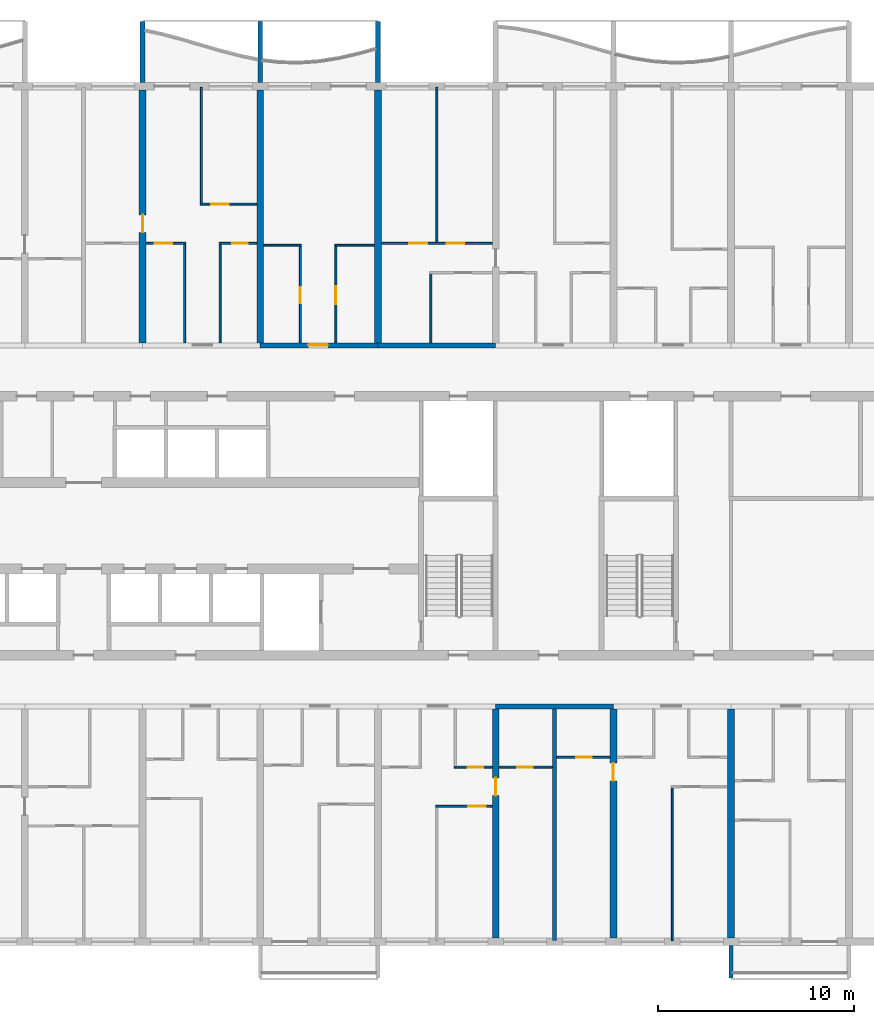
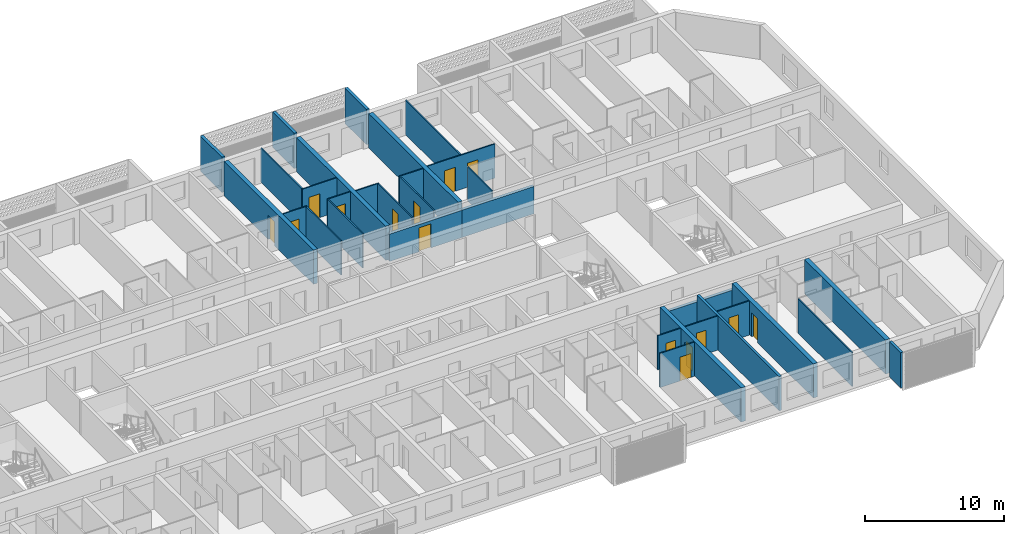
# One storey, part 12 of 24: 32 walls, 15 doors, 15 openings.
"""IFC4 building model written with IfcOpenShell, lengths in metres."""

from ifc_helpers import new_model, si_unit, direction, frame, frame_2d, origin, place, context, subcontext, project, spatial, polyline, rectangle, outline, extrude, source, transform, mapped, material, layer, layer_set, type_object, element, fill, save


model = new_model("IFC4")

# Units and contexts
model_context = context("Model", 3, precision=1e-05, world=origin(), true_north=direction((0.0, 1.0)))
body_context = subcontext(model_context, "Body", "Model", "MODEL_VIEW")
ifc_project = project(units=[si_unit("LENGTHUNIT", "METRE"), si_unit("AREAUNIT", "SQUARE_METRE"), si_unit("VOLUMEUNIT", "CUBIC_METRE"), si_unit("PLANEANGLEUNIT", "RADIAN"), si_unit("MASSUNIT", "GRAM", prefix="KILO")], contexts=[model_context])

# Site, building, storey
site_placement = place(None, origin())
site = spatial("IfcSite", under=ifc_project, at=site_placement, CompositionType="ELEMENT")
building_placement = place(site_placement, origin())
building = spatial("IfcBuilding", under=site, at=building_placement, Name="Poui Terraces", CompositionType="ELEMENT")
storey_placement = place(building_placement, frame((0.0, 0.0, 102.60009765625)))
storey = spatial("IfcBuildingStorey", under=building, at=storey_placement, Name="L28", CompositionType="ELEMENT", Elevation=102.60009765625)

# Wall
ifc_material_1 = material(Name="Concrete 65 MPa", Category="concrete")
ifc_layer_1 = layer(ifc_material_1, 0.25)
ifc_layer_set_1 = layer_set([ifc_layer_1], Name="Concrete 65 MPa")
wall_type_1 = type_object("IfcWallType", Name="CORRIDOR WALL 250 65MPa", PredefinedType="SHEAR", material=ifc_layer_set_1)
wall_1_placement = place(storey_placement, frame((72.0, 12.0, 0.0), z_axis=(0.0, 0.0, 1.0), x_axis=(1.0, 0.0, 0.0)))
element("IfcWall", 1, at=wall_1_placement, inside=storey, type_object=wall_type_1, Name="CORRIDOR WALL LINE B BAY 12", PredefinedType="SHEAR", context=body_context, shape_type="SweptSolid", body=[
    extrude(rectangle(XDim=6.0, YDim=0.25, at=frame_2d((3.0, 0.0))), origin(), (0.0, 0.0, 1.0), 2.39990234375),
])

# Wall, opening, door
wall_2_placement = place(storey_placement, frame((60.0, 30.39990234375, 0.0), z_axis=(0.0, 0.0, 1.0), x_axis=(1.0, 0.0, 0.0)))
wall_2 = element("IfcWall", 2, at=wall_2_placement, inside=storey, type_object=wall_type_1, Name="CORRIDOR WALL LINE E BAY 10", PredefinedType="SHEAR", context=body_context, shape_type="SweptSolid", body=[
    extrude(rectangle(XDim=6.0, YDim=0.25, at=frame_2d((3.0, 0.0))), origin(), (0.0, 0.0, 1.0), 2.39990234375),
])
opening_1_placement = place(wall_2_placement, frame((2.449951171875, 0.0, 0.0)))
opening_1 = element("IfcOpeningElement", 3, at=opening_1_placement, cuts=wall_2, Name="Opening FD30S", PredefinedType="OPENING", context=body_context, shape_type="SweptSolid", body=[
    extrude(rectangle(XDim=1.0, YDim=2.10009765625, at=frame_2d((0.5, 1.050048828125))), frame((0.0, 0.135009765625, 0.0), z_axis=(0.0, -1.0, 0.0), x_axis=(1.0, 0.0, 0.0)), (0.0, 0.0, 1.0), 0.27001953125),
])
ifc_material_2 = material(Name="Steel fire door", Category="steel")
door_type_1 = type_object("IfcDoorType", Name="FLAT ENTRANCE DOOR 1000 X 2100", OperationType="NOTDEFINED", PredefinedType="DOOR", material=ifc_material_2)
door_1_placement = place(opening_1_placement, origin())
door_1 = element("IfcDoor", 4, at=door_1_placement, inside=storey, type_object=door_type_1, Name="FLAT ENTRANCE DOOR 062", OperationType="SINGLE_SWING_LEFT", OverallHeight=2.10009765625, OverallWidth=1.0, PredefinedType="DOOR", context=body_context, shape_type="SweptSolid", body=[
    extrude(rectangle(XDim=1.0, YDim=2.10009765625, at=frame_2d((0.5, 1.050048828125))), frame((0.0, 0.02490234375, 0.0), z_axis=(0.0, -1.0, 0.0), x_axis=(1.0, 0.0, 0.0)), (0.0, 0.0, 1.0), 0.050048828125),
])
fill(opening_1, door_1)

# Wall
wall_3_placement = place(storey_placement, frame((66.0, 30.39990234375, 0.0), z_axis=(0.0, 0.0, 1.0), x_axis=(1.0, 0.0, 0.0)))
element("IfcWall", 5, at=wall_3_placement, inside=storey, type_object=wall_type_1, Name="CORRIDOR WALL LINE E BAY 11", PredefinedType="SHEAR", context=body_context, shape_type="SweptSolid", body=[
    extrude(rectangle(XDim=6.0, YDim=0.25, at=frame_2d((3.0, 0.0))), origin(), (0.0, 0.0, 1.0), 2.39990234375),
])

# Wall, opening, door
ifc_layer_2 = layer(ifc_material_1, 0.35009765625)
ifc_layer_set_2 = layer_set([ifc_layer_2], Name="Concrete 65 MPa")
wall_type_2 = type_object("IfcWallType", Name="CROSS WALL 350 65MPa", PredefinedType="SHEAR", material=ifc_layer_set_2)
wall_4_placement = place(storey_placement, frame((54.0, 30.52490234375, 0.0), z_axis=(0.0, 0.0, 1.0), x_axis=(0.0, 1.0, 0.0)))
wall_4 = element("IfcWall", 6, at=wall_4_placement, inside=storey, type_object=wall_type_2, Name="CROSS WALL LINE 10 NORTH", PredefinedType="SHEAR", context=body_context, shape_type="SweptSolid", body=[
    extrude(rectangle(XDim=12.875, YDim=0.35009765625, at=frame_2d((6.4375, 0.0))), origin(), (0.0, 0.0, 1.0), 3.0),
])
opening_2_placement = place(wall_4_placement, frame((5.625, 0.0, 0.0)))
opening_2 = element("IfcOpeningElement", 7, at=opening_2_placement, cuts=wall_4, Name="Opening D90", PredefinedType="OPENING", context=body_context, shape_type="SweptSolid", body=[
    extrude(rectangle(XDim=0.89990234375, YDim=2.10009765625, at=frame_2d((0.449951171875, 1.050048828125))), frame((0.0, 0.18505859375, 0.0), z_axis=(0.0, -1.0, 0.0), x_axis=(1.0, 0.0, 0.0)), (0.0, 0.0, 1.0), 0.3701171875),
])
ifc_material_3 = material(Name="Solid core timber door", Category="wood")
door_type_2 = type_object("IfcDoorType", Name="INTERNAL DOOR 900 X 2100", OperationType="NOTDEFINED", PredefinedType="DOOR", material=ifc_material_3)
door_2_placement = place(opening_2_placement, origin())
door_2 = element("IfcDoor", 8, at=door_2_placement, inside=storey, type_object=door_type_2, Name="INTERNAL DOOR 056", OperationType="SINGLE_SWING_LEFT", OverallHeight=2.10009765625, OverallWidth=0.89990234375, PredefinedType="DOOR", context=body_context, shape_type="SweptSolid", body=[
    extrude(rectangle(XDim=0.89990234375, YDim=2.10009765625, at=frame_2d((0.449951171875, 1.050048828125))), frame((0.0, 0.02490234375, 0.0), z_axis=(0.0, -1.0, 0.0), x_axis=(1.0, 0.0, 0.0)), (0.0, 0.0, 1.0), 0.050048828125),
])
fill(opening_2, door_2)

# Walls
for number, where, z_axis, x_axis, name in (
    (9, (60.0, 30.52490234375, 0.0), (0.0, 0.0, 1.0), (0.0, 1.0, 0.0), "CROSS WALL LINE 11 NORTH"),
    (10, (66.0, 30.52490234375, 0.0), (0.0, 0.0, 1.0), (0.0, 1.0, 0.0), "CROSS WALL LINE 12 NORTH"),
):
    element("IfcWall", number, at=place(storey_placement, frame(where, z_axis=z_axis, x_axis=x_axis)), inside=storey, type_object=wall_type_2, Name=name, PredefinedType="SHEAR", context=body_context, shape_type="SweptSolid", body=[
        extrude(rectangle(XDim=12.875, YDim=0.35009765625, at=frame_2d((6.4375, 0.0))), origin(), (0.0, 0.0, 1.0), 3.0),
    ])

# Wall, opening, door
wall_5_placement = place(storey_placement, frame((72.0, 0.199951171875, 0.0), z_axis=(0.0, 0.0, 1.0), x_axis=(0.0, 1.0, 0.0)))
wall_5 = element("IfcWall", 11, at=wall_5_placement, inside=storey, type_object=wall_type_2, Name="CROSS WALL LINE 13 SOUTH", PredefinedType="SHEAR", context=body_context, shape_type="SweptSolid", body=[
    extrude(rectangle(XDim=11.675048828125, YDim=0.35009765625, at=frame_2d((5.83740234375, 0.0))), origin(), (0.0, 0.0, 1.0), 3.0),
])
opening_3_placement = place(wall_5_placement, frame((7.25, 0.0, 0.0)))
opening_3 = element("IfcOpeningElement", 12, at=opening_3_placement, cuts=wall_5, Name="Opening D90", PredefinedType="OPENING", context=body_context, shape_type="SweptSolid", body=[
    extrude(rectangle(XDim=0.89990234375, YDim=2.10009765625, at=frame_2d((0.449951171875, 1.050048828125))), frame((0.0, 0.18505859375, 0.0), z_axis=(0.0, -1.0, 0.0), x_axis=(1.0, 0.0, 0.0)), (0.0, 0.0, 1.0), 0.3701171875),
])
door_3_placement = place(opening_3_placement, frame((0.89990234375, 0.0, 0.0), z_axis=(0.0, 0.0, 1.0), x_axis=(-1.0, 0.0, 0.0)))
door_3 = element("IfcDoor", 13, at=door_3_placement, inside=storey, type_object=door_type_2, Name="INTERNAL DOOR 120", OperationType="SINGLE_SWING_LEFT", OverallHeight=2.10009765625, OverallWidth=0.89990234375, PredefinedType="DOOR", context=body_context, shape_type="SweptSolid", body=[
    extrude(rectangle(XDim=0.89990234375, YDim=2.10009765625, at=frame_2d((0.449951171875, 1.050048828125))), frame((0.0, 0.02490234375, 0.0), z_axis=(0.0, -1.0, 0.0), x_axis=(1.0, 0.0, 0.0)), (0.0, 0.0, 1.0), 0.050048828125),
])
fill(opening_3, door_3)

wall_6_placement = place(storey_placement, frame((78.0, 0.199951171875, 0.0), z_axis=(0.0, 0.0, 1.0), x_axis=(0.0, 1.0, 0.0)))
wall_6 = element("IfcWall", 14, at=wall_6_placement, inside=storey, type_object=wall_type_2, Name="CROSS WALL LINE 14 SOUTH", PredefinedType="SHEAR", context=body_context, shape_type="SweptSolid", body=[
    extrude(rectangle(XDim=11.675048828125, YDim=0.35009765625, at=frame_2d((5.83740234375, 0.0))), origin(), (0.0, 0.0, 1.0), 3.0),
])
opening_4_placement = place(wall_6_placement, frame((8.0, 0.0, 0.0)))
opening_4 = element("IfcOpeningElement", 15, at=opening_4_placement, cuts=wall_6, Name="Opening D90", PredefinedType="OPENING", context=body_context, shape_type="SweptSolid", body=[
    extrude(rectangle(XDim=0.89990234375, YDim=2.10009765625, at=frame_2d((0.449951171875, 1.050048828125))), frame((0.0, 0.18505859375, 0.0), z_axis=(0.0, -1.0, 0.0), x_axis=(1.0, 0.0, 0.0)), (0.0, 0.0, 1.0), 0.3701171875),
])
door_4_placement = place(opening_4_placement, origin())
door_4 = element("IfcDoor", 16, at=door_4_placement, inside=storey, type_object=door_type_2, Name="INTERNAL DOOR 122", OperationType="SINGLE_SWING_RIGHT", OverallHeight=2.10009765625, OverallWidth=0.89990234375, PredefinedType="DOOR", context=body_context, shape_type="SweptSolid", body=[
    extrude(rectangle(XDim=0.89990234375, YDim=2.10009765625, at=frame_2d((0.449951171875, 1.050048828125))), frame((0.0, 0.02490234375, 0.0), z_axis=(0.0, -1.0, 0.0), x_axis=(1.0, 0.0, 0.0)), (0.0, 0.0, 1.0), 0.050048828125),
])
fill(opening_4, door_4)

# Wall
wall_7_placement = place(storey_placement, frame((84.0, 0.199951171875, 0.0), z_axis=(0.0, 0.0, 1.0), x_axis=(0.0, 1.0, 0.0)))
element("IfcWall", 17, at=wall_7_placement, inside=storey, type_object=wall_type_2, Name="CROSS WALL LINE 15 SOUTH", PredefinedType="SHEAR", context=body_context, shape_type="SweptSolid", body=[
    extrude(rectangle(XDim=11.675048828125, YDim=0.35009765625, at=frame_2d((5.83740234375, 0.0))), origin(), (0.0, 0.0, 1.0), 3.0),
])

# Wall, opening, door
ifc_material_4 = material(Name="Plasterboard partition")
ifc_layer_3 = layer(ifc_material_4, 0.10009765625)
ifc_layer_set_3 = layer_set([ifc_layer_3], Name="Plasterboard partition")
wall_type_3 = type_object("IfcWallType", Name="FLAT PARTITION 100", PredefinedType="PARTITIONING", material=ifc_layer_set_3)
wall_8_placement = place(storey_placement, frame((68.949951171875, 6.89990234375, 0.0), z_axis=(0.0, 0.0, 1.0), x_axis=(1.0, 0.0, 0.0)))
wall_8 = element("IfcWall", 18, at=wall_8_placement, inside=storey, type_object=wall_type_3, Name="FLAT PARTITION 100", PredefinedType="PARTITIONING", context=body_context, shape_type="SweptSolid", body=[
    extrude(rectangle(XDim=2.864990234375, YDim=0.10009765625, at=frame_2d((1.4326171875, 0.0))), origin(), (0.0, 0.0, 1.0), 3.0),
])
opening_5_placement = place(wall_8_placement, frame((1.64990234375, 0.0, 0.0)))
opening_5 = element("IfcOpeningElement", 19, at=opening_5_placement, cuts=wall_8, Name="Opening D90", PredefinedType="OPENING", context=body_context, shape_type="SweptSolid", body=[
    extrude(rectangle(XDim=0.89990234375, YDim=2.10009765625, at=frame_2d((0.449951171875, 1.050048828125))), frame((0.0, 0.06005859375, 0.0), z_axis=(0.0, -1.0, 0.0), x_axis=(1.0, 0.0, 0.0)), (0.0, 0.0, 1.0), 0.1201171875),
])
door_5_placement = place(opening_5_placement, origin())
door_5 = element("IfcDoor", 20, at=door_5_placement, inside=storey, type_object=door_type_2, Name="INTERNAL DOOR 119", OperationType="SINGLE_SWING_LEFT", OverallHeight=2.10009765625, OverallWidth=0.89990234375, PredefinedType="DOOR", context=body_context, shape_type="SweptSolid", body=[
    extrude(rectangle(XDim=0.89990234375, YDim=2.10009765625, at=frame_2d((0.449951171875, 1.050048828125))), frame((0.0, 0.02490234375, 0.0), z_axis=(0.0, -1.0, 0.0), x_axis=(1.0, 0.0, 0.0)), (0.0, 0.0, 1.0), 0.050048828125),
])
fill(opening_5, door_5)

wall_9_placement = place(storey_placement, frame((69.89990234375, 8.89990234375, 0.0), z_axis=(0.0, 0.0, 1.0), x_axis=(1.0, 0.0, 0.0)))
wall_9 = element("IfcWall", 21, at=wall_9_placement, inside=storey, type_object=wall_type_3, Name="FLAT PARTITION 100", PredefinedType="PARTITIONING", context=body_context, shape_type="SweptSolid", body=[
    extrude(rectangle(XDim=1.9150390625, YDim=0.10009765625, at=frame_2d((0.95751953125, 0.0))), origin(), (0.0, 0.0, 1.0), 3.0),
])
opening_6_placement = place(wall_9_placement, frame((0.675048828125, 0.0, 0.0)))
opening_6 = element("IfcOpeningElement", 22, at=opening_6_placement, cuts=wall_9, Name="Opening D80", PredefinedType="OPENING", context=body_context, shape_type="SweptSolid", body=[
    extrude(rectangle(XDim=0.800048828125, YDim=2.10009765625, at=frame_2d((0.39990234375, 1.050048828125))), frame((0.0, 0.06005859375, 0.0), z_axis=(0.0, -1.0, 0.0), x_axis=(1.0, 0.0, 0.0)), (0.0, 0.0, 1.0), 0.1201171875),
])
door_type_3 = type_object("IfcDoorType", Name="BATHROOM, LAUNDRY AND STORE DOOR 800 X 2100", OperationType="NOTDEFINED", PredefinedType="DOOR", material=ifc_material_3)
door_6_placement = place(opening_6_placement, origin())
door_6 = element("IfcDoor", 23, at=door_6_placement, inside=storey, type_object=door_type_3, Name="BATHROOM, LAUNDRY AND STORE DOOR 118", OperationType="SINGLE_SWING_RIGHT", OverallHeight=2.10009765625, OverallWidth=0.800048828125, PredefinedType="DOOR", context=body_context, shape_type="SweptSolid", body=[
    extrude(rectangle(XDim=0.800048828125, YDim=2.10009765625, at=frame_2d((0.39990234375, 1.050048828125))), frame((0.0, 0.02490234375, 0.0), z_axis=(0.0, -1.0, 0.0), x_axis=(1.0, 0.0, 0.0)), (0.0, 0.0, 1.0), 0.050048828125),
])
fill(opening_6, door_6)

wall_10_placement = place(storey_placement, frame((72.18505859375, 8.89990234375, 0.0), z_axis=(0.0, 0.0, 1.0), x_axis=(1.0, 0.0, 0.0)))
wall_10 = element("IfcWall", 24, at=wall_10_placement, inside=storey, type_object=wall_type_3, Name="FLAT PARTITION 100", PredefinedType="PARTITIONING", context=body_context, shape_type="SweptSolid", body=[
    extrude(rectangle(XDim=2.71484375, YDim=0.10009765625, at=frame_2d((1.357421875, 0.0))), origin(), (0.0, 0.0, 1.0), 3.0),
])
opening_7_placement = place(wall_10_placement, frame((0.9150390625, 0.0, 0.0)))
opening_7 = element("IfcOpeningElement", 25, at=opening_7_placement, cuts=wall_10, Name="Opening D80", PredefinedType="OPENING", context=body_context, shape_type="SweptSolid", body=[
    extrude(rectangle(XDim=0.800048828125, YDim=2.10009765625, at=frame_2d((0.39990234375, 1.050048828125))), frame((0.0, 0.06005859375, 0.0), z_axis=(0.0, -1.0, 0.0), x_axis=(1.0, 0.0, 0.0)), (0.0, 0.0, 1.0), 0.1201171875),
])
door_7_placement = place(opening_7_placement, origin())
door_7 = element("IfcDoor", 26, at=door_7_placement, inside=storey, type_object=door_type_3, Name="BATHROOM, LAUNDRY AND STORE DOOR 115", OperationType="SINGLE_SWING_LEFT", OverallHeight=2.10009765625, OverallWidth=0.800048828125, PredefinedType="DOOR", context=body_context, shape_type="SweptSolid", body=[
    extrude(rectangle(XDim=0.800048828125, YDim=2.10009765625, at=frame_2d((0.39990234375, 1.050048828125))), frame((0.0, 0.02490234375, 0.0), z_axis=(0.0, -1.0, 0.0), x_axis=(1.0, 0.0, 0.0)), (0.0, 0.0, 1.0), 0.050048828125),
])
fill(opening_7, door_7)

wall_11_placement = place(storey_placement, frame((75.10009765625, 9.39990234375, 0.0), z_axis=(0.0, 0.0, 1.0), x_axis=(1.0, 0.0, 0.0)))
wall_11 = element("IfcWall", 27, at=wall_11_placement, inside=storey, type_object=wall_type_3, Name="FLAT PARTITION 100", PredefinedType="PARTITIONING", context=body_context, shape_type="SweptSolid", body=[
    extrude(rectangle(XDim=2.71484375, YDim=0.10009765625, at=frame_2d((1.357421875, 0.0))), origin(), (0.0, 0.0, 1.0), 3.0),
])
opening_8_placement = place(wall_11_placement, frame((1.0, 0.0, 0.0)))
opening_8 = element("IfcOpeningElement", 28, at=opening_8_placement, cuts=wall_11, Name="Opening D80", PredefinedType="OPENING", context=body_context, shape_type="SweptSolid", body=[
    extrude(rectangle(XDim=0.800048828125, YDim=2.10009765625, at=frame_2d((0.39990234375, 1.050048828125))), frame((0.0, 0.06005859375, 0.0), z_axis=(0.0, -1.0, 0.0), x_axis=(1.0, 0.0, 0.0)), (0.0, 0.0, 1.0), 0.1201171875),
])
door_8_placement = place(opening_8_placement, origin())
door_8 = element("IfcDoor", 29, at=door_8_placement, inside=storey, type_object=door_type_3, Name="BATHROOM, LAUNDRY AND STORE DOOR 121", OperationType="SINGLE_SWING_RIGHT", OverallHeight=2.10009765625, OverallWidth=0.800048828125, PredefinedType="DOOR", context=body_context, shape_type="SweptSolid", body=[
    extrude(rectangle(XDim=0.800048828125, YDim=2.10009765625, at=frame_2d((0.39990234375, 1.050048828125))), frame((0.0, 0.02490234375, 0.0), z_axis=(0.0, -1.0, 0.0), x_axis=(1.0, 0.0, 0.0)), (0.0, 0.0, 1.0), 0.050048828125),
])
fill(opening_8, door_8)

# Walls
wall_12_placement = place(storey_placement, frame((60.18505859375, 35.5, 0.0), z_axis=(0.0, 0.0, 1.0), x_axis=(1.0, 0.0, 0.0)))
element("IfcWall", 30, at=wall_12_placement, inside=storey, type_object=wall_type_3, Name="FLAT PARTITION 100", PredefinedType="PARTITIONING", context=body_context, shape_type="SweptSolid", body=[
    extrude(rectangle(XDim=1.9150390625, YDim=0.10009765625, at=frame_2d((0.95751953125, 0.0))), origin(), (0.0, 0.0, 1.0), 3.0),
])
wall_13_placement = place(storey_placement, frame((63.800048828125, 35.5, 0.0), z_axis=(0.0, 0.0, 1.0), x_axis=(1.0, 0.0, 0.0)))
element("IfcWall", 31, at=wall_13_placement, inside=storey, type_object=wall_type_3, Name="FLAT PARTITION 100", PredefinedType="PARTITIONING", context=body_context, shape_type="SweptSolid", body=[
    extrude(rectangle(XDim=2.014892578125, YDim=0.10009765625, at=frame_2d((1.00732421875, 0.0))), origin(), (0.0, 0.0, 1.0), 3.0),
])

# Wall, opening, door
wall_14_placement = place(storey_placement, frame((54.18505859375, 35.60009765625, 0.0), z_axis=(0.0, 0.0, 1.0), x_axis=(1.0, 0.0, 0.0)))
wall_14 = element("IfcWall", 32, at=wall_14_placement, inside=storey, type_object=wall_type_3, Name="FLAT PARTITION 100", PredefinedType="PARTITIONING", context=body_context, shape_type="SweptSolid", body=[
    extrude(rectangle(XDim=2.014892578125, YDim=0.10009765625, at=frame_2d((1.00732421875, 0.0))), origin(), (0.0, 0.0, 1.0), 3.0),
])
opening_9_placement = place(wall_14_placement, frame((0.43994140625, 0.0, 0.0)))
opening_9 = element("IfcOpeningElement", 33, at=opening_9_placement, cuts=wall_14, Name="Opening D90", PredefinedType="OPENING", context=body_context, shape_type="SweptSolid", body=[
    extrude(rectangle(XDim=0.89990234375, YDim=2.10009765625, at=frame_2d((0.449951171875, 1.050048828125))), frame((0.0, 0.06005859375, 0.0), z_axis=(0.0, -1.0, 0.0), x_axis=(1.0, 0.0, 0.0)), (0.0, 0.0, 1.0), 0.1201171875),
])
door_9_placement = place(opening_9_placement, frame((0.89990234375, 0.0, 0.0), z_axis=(0.0, 0.0, 1.0), x_axis=(-1.0, 0.0, 0.0)))
door_9 = element("IfcDoor", 34, at=door_9_placement, inside=storey, type_object=door_type_2, Name="INTERNAL DOOR 057", OperationType="SINGLE_SWING_LEFT", OverallHeight=2.10009765625, OverallWidth=0.89990234375, PredefinedType="DOOR", context=body_context, shape_type="SweptSolid", body=[
    extrude(rectangle(XDim=0.89990234375, YDim=2.10009765625, at=frame_2d((0.449951171875, 1.050048828125))), frame((0.0, 0.02490234375, 0.0), z_axis=(0.0, -1.0, 0.0), x_axis=(1.0, 0.0, 0.0)), (0.0, 0.0, 1.0), 0.050048828125),
])
fill(opening_9, door_9)

wall_15_placement = place(storey_placement, frame((57.89990234375, 35.60009765625, 0.0), z_axis=(0.0, 0.0, 1.0), x_axis=(1.0, 0.0, 0.0)))
wall_15 = element("IfcWall", 35, at=wall_15_placement, inside=storey, type_object=wall_type_3, Name="FLAT PARTITION 100", PredefinedType="PARTITIONING", context=body_context, shape_type="SweptSolid", body=[
    extrude(rectangle(XDim=1.9150390625, YDim=0.10009765625, at=frame_2d((0.95751953125, 0.0))), origin(), (0.0, 0.0, 1.0), 3.0),
])
opening_10_placement = place(wall_15_placement, frame((0.675048828125, 0.0, 0.0)))
opening_10 = element("IfcOpeningElement", 36, at=opening_10_placement, cuts=wall_15, Name="Opening D80", PredefinedType="OPENING", context=body_context, shape_type="SweptSolid", body=[
    extrude(rectangle(XDim=0.800048828125, YDim=2.10009765625, at=frame_2d((0.39990234375, 1.050048828125))), frame((0.0, 0.06005859375, 0.0), z_axis=(0.0, -1.0, 0.0), x_axis=(1.0, 0.0, 0.0)), (0.0, 0.0, 1.0), 0.1201171875),
])
door_10_placement = place(opening_10_placement, frame((0.800048828125, 0.0, 0.0), z_axis=(0.0, 0.0, 1.0), x_axis=(-1.0, 0.0, 0.0)))
door_10 = element("IfcDoor", 37, at=door_10_placement, inside=storey, type_object=door_type_3, Name="BATHROOM, LAUNDRY AND STORE DOOR 060", OperationType="SINGLE_SWING_RIGHT", OverallHeight=2.10009765625, OverallWidth=0.800048828125, PredefinedType="DOOR", context=body_context, shape_type="SweptSolid", body=[
    extrude(rectangle(XDim=0.800048828125, YDim=2.10009765625, at=frame_2d((0.39990234375, 1.050048828125))), frame((0.0, 0.02490234375, 0.0), z_axis=(0.0, -1.0, 0.0), x_axis=(1.0, 0.0, 0.0)), (0.0, 0.0, 1.0), 0.050048828125),
])
fill(opening_10, door_10)

# Wall, openings, doors
wall_16_placement = place(storey_placement, frame((66.18505859375, 35.60009765625, 0.0), z_axis=(0.0, 0.0, 1.0), x_axis=(1.0, 0.0, 0.0)))
wall_16 = element("IfcWall", 38, at=wall_16_placement, inside=storey, type_object=wall_type_3, Name="FLAT PARTITION 100", PredefinedType="PARTITIONING", context=body_context, shape_type="SweptSolid", body=[
    extrude(rectangle(XDim=5.6298828125, YDim=0.10009765625, at=frame_2d((2.81494140625, 0.0))), origin(), (0.0, 0.0, 1.0), 3.0),
])
opening_11_placement = place(wall_16_placement, frame((1.4150390625, 0.0, 0.0)))
opening_11 = element("IfcOpeningElement", 39, at=opening_11_placement, cuts=wall_16, Name="Opening D90", PredefinedType="OPENING", context=body_context, shape_type="SweptSolid", body=[
    extrude(rectangle(XDim=0.89990234375, YDim=2.10009765625, at=frame_2d((0.449951171875, 1.050048828125))), frame((0.0, 0.06005859375, 0.0), z_axis=(0.0, -1.0, 0.0), x_axis=(1.0, 0.0, 0.0)), (0.0, 0.0, 1.0), 0.1201171875),
])
opening_12_placement = place(wall_16_placement, frame((3.31494140625, 0.0, 0.0)))
opening_12 = element("IfcOpeningElement", 40, at=opening_12_placement, cuts=wall_16, Name="Opening D90", PredefinedType="OPENING", context=body_context, shape_type="SweptSolid", body=[
    extrude(rectangle(XDim=0.89990234375, YDim=2.10009765625, at=frame_2d((0.449951171875, 1.050048828125))), frame((0.0, 0.06005859375, 0.0), z_axis=(0.0, -1.0, 0.0), x_axis=(1.0, 0.0, 0.0)), (0.0, 0.0, 1.0), 0.1201171875),
])
door_11_placement = place(opening_11_placement, origin())
door_11 = element("IfcDoor", 41, at=door_11_placement, inside=storey, type_object=door_type_2, Name="INTERNAL DOOR 064", OperationType="SINGLE_SWING_RIGHT", OverallHeight=2.10009765625, OverallWidth=0.89990234375, PredefinedType="DOOR", context=body_context, shape_type="SweptSolid", body=[
    extrude(rectangle(XDim=0.89990234375, YDim=2.10009765625, at=frame_2d((0.449951171875, 1.050048828125))), frame((0.0, 0.02490234375, 0.0), z_axis=(0.0, -1.0, 0.0), x_axis=(1.0, 0.0, 0.0)), (0.0, 0.0, 1.0), 0.050048828125),
])
fill(opening_11, door_11)
door_12_placement = place(opening_12_placement, origin())
door_12 = element("IfcDoor", 42, at=door_12_placement, inside=storey, type_object=door_type_2, Name="INTERNAL DOOR 065", OperationType="SINGLE_SWING_LEFT", OverallHeight=2.10009765625, OverallWidth=0.89990234375, PredefinedType="DOOR", context=body_context, shape_type="SweptSolid", body=[
    extrude(rectangle(XDim=0.89990234375, YDim=2.10009765625, at=frame_2d((0.449951171875, 1.050048828125))), frame((0.0, 0.02490234375, 0.0), z_axis=(0.0, -1.0, 0.0), x_axis=(1.0, 0.0, 0.0)), (0.0, 0.0, 1.0), 0.050048828125),
])
fill(opening_12, door_12)

# Wall, opening, door
wall_17_placement = place(storey_placement, frame((56.949951171875, 37.60009765625, 0.0), z_axis=(0.0, 0.0, 1.0), x_axis=(1.0, 0.0, 0.0)))
wall_17 = element("IfcWall", 43, at=wall_17_placement, inside=storey, type_object=wall_type_3, Name="FLAT PARTITION 100", PredefinedType="PARTITIONING", context=body_context, shape_type="SweptSolid", body=[
    extrude(rectangle(XDim=2.864990234375, YDim=0.10009765625, at=frame_2d((1.4326171875, 0.0))), origin(), (0.0, 0.0, 1.0), 3.0),
])
opening_13_placement = place(wall_17_placement, frame((0.550048828125, 0.0, 0.0)))
opening_13 = element("IfcOpeningElement", 44, at=opening_13_placement, cuts=wall_17, Name="Opening D90", PredefinedType="OPENING", context=body_context, shape_type="SweptSolid", body=[
    extrude(rectangle(XDim=0.89990234375, YDim=2.10009765625, at=frame_2d((0.449951171875, 1.050048828125))), frame((0.0, 0.06005859375, 0.0), z_axis=(0.0, -1.0, 0.0), x_axis=(1.0, 0.0, 0.0)), (0.0, 0.0, 1.0), 0.1201171875),
])
door_13_placement = place(opening_13_placement, origin())
door_13 = element("IfcDoor", 45, at=door_13_placement, inside=storey, type_object=door_type_2, Name="INTERNAL DOOR 059", OperationType="SINGLE_SWING_LEFT", OverallHeight=2.10009765625, OverallWidth=0.89990234375, PredefinedType="DOOR", context=body_context, shape_type="SweptSolid", body=[
    extrude(rectangle(XDim=0.89990234375, YDim=2.10009765625, at=frame_2d((0.449951171875, 1.050048828125))), frame((0.0, 0.02490234375, 0.0), z_axis=(0.0, -1.0, 0.0), x_axis=(1.0, 0.0, 0.0)), (0.0, 0.0, 1.0), 0.050048828125),
])
fill(opening_13, door_13)

# Walls
wall_18_placement = place(storey_placement, frame((56.14990234375, 30.534912109375, 0.0), z_axis=(0.0, 0.0, 1.0), x_axis=(0.0, 1.0, 0.0)))
element("IfcWall", 46, at=wall_18_placement, inside=storey, type_object=wall_type_3, Name="FLAT PARTITION 100", PredefinedType="PARTITIONING", context=body_context, shape_type="SweptSolid", body=[
    extrude(rectangle(XDim=5.01513671875, YDim=0.10009765625, at=frame_2d((2.507568359375, 0.0))), origin(), (0.0, 0.0, 1.0), 3.0),
])
wall_19_placement = place(storey_placement, frame((57.0, 37.64990234375, 0.0), z_axis=(0.0, 0.0, 1.0), x_axis=(0.0, 1.0, 0.0)))
element("IfcWall", 47, at=wall_19_placement, inside=storey, type_object=wall_type_3, Name="FLAT PARTITION 100", PredefinedType="PARTITIONING", context=body_context, shape_type="SweptSolid", body=[
    extrude(rectangle(XDim=5.89013671875, YDim=0.10009765625, at=frame_2d((2.945068359375, 0.0))), origin(), (0.0, 0.0, 1.0), 3.0),
])
wall_20_placement = place(storey_placement, frame((57.949951171875, 30.534912109375, 0.0), z_axis=(0.0, 0.0, 1.0), x_axis=(0.0, 1.0, 0.0)))
element("IfcWall", 48, at=wall_20_placement, inside=storey, type_object=wall_type_3, Name="FLAT PARTITION 100", PredefinedType="PARTITIONING", context=body_context, shape_type="SweptSolid", body=[
    extrude(rectangle(XDim=5.01513671875, YDim=0.10009765625, at=frame_2d((2.507568359375, 0.0))), origin(), (0.0, 0.0, 1.0), 3.0),
])

# Wall, opening, door
wall_21_placement = place(storey_placement, frame((62.050048828125, 30.534912109375, 0.0), z_axis=(0.0, 0.0, 1.0), x_axis=(0.0, 1.0, 0.0)))
wall_21 = element("IfcWall", 49, at=wall_21_placement, inside=storey, type_object=wall_type_3, Name="FLAT PARTITION 100", PredefinedType="PARTITIONING", context=body_context, shape_type="SweptSolid", body=[
    extrude(rectangle(XDim=4.9150390625, YDim=0.10009765625, at=frame_2d((2.45751953125, 0.0))), origin(), (0.0, 0.0, 1.0), 3.0),
])
opening_14_placement = place(wall_21_placement, frame((2.014892578125, 0.0, 0.0)))
opening_14 = element("IfcOpeningElement", 50, at=opening_14_placement, cuts=wall_21, Name="Opening D80", PredefinedType="OPENING", context=body_context, shape_type="SweptSolid", body=[
    extrude(rectangle(XDim=0.800048828125, YDim=2.10009765625, at=frame_2d((0.39990234375, 1.050048828125))), frame((0.0, 0.06005859375, 0.0), z_axis=(0.0, -1.0, 0.0), x_axis=(1.0, 0.0, 0.0)), (0.0, 0.0, 1.0), 0.1201171875),
])
door_14_placement = place(opening_14_placement, origin())
door_14 = element("IfcDoor", 51, at=door_14_placement, inside=storey, type_object=door_type_3, Name="BATHROOM, LAUNDRY AND STORE DOOR 061", OperationType="SINGLE_SWING_RIGHT", OverallHeight=2.10009765625, OverallWidth=0.800048828125, PredefinedType="DOOR", context=body_context, shape_type="SweptSolid", body=[
    extrude(rectangle(XDim=0.800048828125, YDim=2.10009765625, at=frame_2d((0.39990234375, 1.050048828125))), frame((0.0, 0.02490234375, 0.0), z_axis=(0.0, -1.0, 0.0), x_axis=(1.0, 0.0, 0.0)), (0.0, 0.0, 1.0), 0.050048828125),
])
fill(opening_14, door_14)

wall_22_placement = place(storey_placement, frame((63.85009765625, 30.534912109375, 0.0), z_axis=(0.0, 0.0, 1.0), x_axis=(0.0, 1.0, 0.0)))
wall_22 = element("IfcWall", 52, at=wall_22_placement, inside=storey, type_object=wall_type_3, Name="FLAT PARTITION 100", PredefinedType="PARTITIONING", context=body_context, shape_type="SweptSolid", body=[
    extrude(rectangle(XDim=4.9150390625, YDim=0.10009765625, at=frame_2d((2.45751953125, 0.0))), origin(), (0.0, 0.0, 1.0), 3.0),
])
opening_15_placement = place(wall_22_placement, frame((1.965087890625, 0.0, 0.0)))
opening_15 = element("IfcOpeningElement", 53, at=opening_15_placement, cuts=wall_22, Name="Opening D90", PredefinedType="OPENING", context=body_context, shape_type="SweptSolid", body=[
    extrude(rectangle(XDim=0.89990234375, YDim=2.10009765625, at=frame_2d((0.449951171875, 1.050048828125))), frame((0.0, 0.06005859375, 0.0), z_axis=(0.0, -1.0, 0.0), x_axis=(1.0, 0.0, 0.0)), (0.0, 0.0, 1.0), 0.1201171875),
])
door_15_placement = place(opening_15_placement, frame((0.89990234375, 0.0, 0.0), z_axis=(0.0, 0.0, 1.0), x_axis=(-1.0, 0.0, 0.0)))
door_15 = element("IfcDoor", 54, at=door_15_placement, inside=storey, type_object=door_type_2, Name="INTERNAL DOOR 063", OperationType="SINGLE_SWING_RIGHT", OverallHeight=2.10009765625, OverallWidth=0.89990234375, PredefinedType="DOOR", context=body_context, shape_type="SweptSolid", body=[
    extrude(rectangle(XDim=0.89990234375, YDim=2.10009765625, at=frame_2d((0.449951171875, 1.050048828125))), frame((0.0, 0.02490234375, 0.0), z_axis=(0.0, -1.0, 0.0), x_axis=(1.0, 0.0, 0.0)), (0.0, 0.0, 1.0), 0.050048828125),
])
fill(opening_15, door_15)

# Walls
wall_23_placement = place(storey_placement, frame((68.699951171875, 30.534912109375, 0.0), z_axis=(0.0, 0.0, 1.0), x_axis=(0.0, 1.0, 0.0)))
element("IfcWall", 55, at=wall_23_placement, inside=storey, type_object=wall_type_3, Name="FLAT PARTITION 100", PredefinedType="PARTITIONING", context=body_context, shape_type="SweptSolid", body=[
    extrude(rectangle(XDim=3.51513671875, YDim=0.10009765625, at=frame_2d((1.757568359375, 0.0))), origin(), (0.0, 0.0, 1.0), 3.0),
])
wall_24_placement = place(storey_placement, frame((69.0, 35.64990234375, 0.0), z_axis=(0.0, 0.0, 1.0), x_axis=(0.0, 1.0, 0.0)))
element("IfcWall", 56, at=wall_24_placement, inside=storey, type_object=wall_type_3, Name="FLAT PARTITION 100", PredefinedType="PARTITIONING", context=body_context, shape_type="SweptSolid", body=[
    extrude(rectangle(XDim=7.89013671875, YDim=0.10009765625, at=frame_2d((3.945068359375, 0.0))), origin(), (0.0, 0.0, 1.0), 3.0),
])
wall_25_placement = place(storey_placement, frame((81.0, 0.06005859375, 0.0), z_axis=(0.0, 0.0, 1.0), x_axis=(0.0, 1.0, 0.0)))
element("IfcWall", 57, at=wall_25_placement, inside=storey, type_object=wall_type_3, Name="FLAT PARTITION 100", PredefinedType="PARTITIONING", context=body_context, shape_type="SweptSolid", body=[
    extrude(rectangle(XDim=7.7900390625, YDim=0.10009765625, at=frame_2d((3.89501953125, 0.0))), origin(), (0.0, 0.0, 1.0), 3.0),
])
ifc_material_5 = material(Name="Fire-rated masonry wall", Category="masonry")
ifc_layer_4 = layer(ifc_material_5, 0.199951171875)
ifc_layer_set_4 = layer_set([ifc_layer_4], Name="Fire-rated masonry wall")
wall_type_4 = type_object("IfcWallType", Name="FLAT PARTY WALL 200", PredefinedType="PARTITIONING", material=ifc_layer_set_4)
wall_26_placement = place(storey_placement, frame((75.0, 0.06005859375, 0.0), z_axis=(0.0, 0.0, 1.0), x_axis=(0.0, 1.0, 0.0)))
element("IfcWall", 58, at=wall_26_placement, inside=storey, type_object=wall_type_4, Name="FLAT PARTY WALL 200", PredefinedType="PARTITIONING", context=body_context, shape_type="SweptSolid", body=[
    extrude(rectangle(XDim=11.804931640625, YDim=0.199951171875, at=frame_2d((5.90234375, 0.0))), origin(), (0.0, 0.0, 1.0), 3.0),
])
ifc_material_6 = material(Name="Precast concrete 40 MPa", Category="concrete")
ifc_layer_5 = layer(ifc_material_6, 0.199951171875)
ifc_layer_set_5 = layer_set([ifc_layer_5], Name="Precast concrete 40 MPa")
wall_type_5 = type_object("IfcWallType", Name="REAR FIN 200", PredefinedType="STANDARD", material=ifc_layer_set_5)
shared_shape_1 = source(origin(), body_context, "Body", "SweptSolid", [
    extrude(outline(polyline([(0.0, 0.0), (0.2001953125, 0.0), (0.2001953125, 1.650146484375), (0.0, 1.650146484375), (0.0, 0.0)])), origin(), (0.0, 0.0, 1.0), 3.099853515625),
])
wall_27_placement = place(storey_placement, frame((83.89990234375, -1.85009765625, 0.0)))
element("IfcWall", 59, at=wall_27_placement, inside=storey, type_object=wall_type_5, Name="REAR FIN", PredefinedType="STANDARD", context=body_context, shape_type="MappedRepresentation", body=[
    mapped(shared_shape_1, transform((0.0, 0.0, 0.0))),
])
ifc_layer_6 = layer(ifc_material_6, 0.25)
ifc_layer_set_6 = layer_set([ifc_layer_6], Name="Precast concrete 40 MPa")
wall_type_6 = type_object("IfcWallType", Name="BALCONY FIN 250", PredefinedType="STANDARD", material=ifc_layer_set_6)
shared_shape_2 = source(origin(), body_context, "Body", "SweptSolid", [
    extrude(outline(polyline([(0.0, 0.0), (0.25, 0.0), (0.25, 3.099853515625), (0.0, 3.099853515625), (0.0, 0.0)])), origin(), (0.0, 0.0, 1.0), 3.099853515625),
])
for number, where, name in (
    (60, (53.875, 43.800048828125, 0.0), "BALCONY FIN"),
    (61, (59.875, 43.800048828125, 0.0), "BALCONY FIN"),
    (62, (65.875, 43.800048828125, 0.0), "BALCONY FIN"),
):
    element("IfcWall", number, at=place(storey_placement, frame(where)), inside=storey, type_object=wall_type_6, Name=name, PredefinedType="STANDARD", context=body_context, shape_type="MappedRepresentation", body=[
        mapped(shared_shape_2, transform((0.0, 0.0, 0.0))),
    ])

save(model, "model.ifc")
